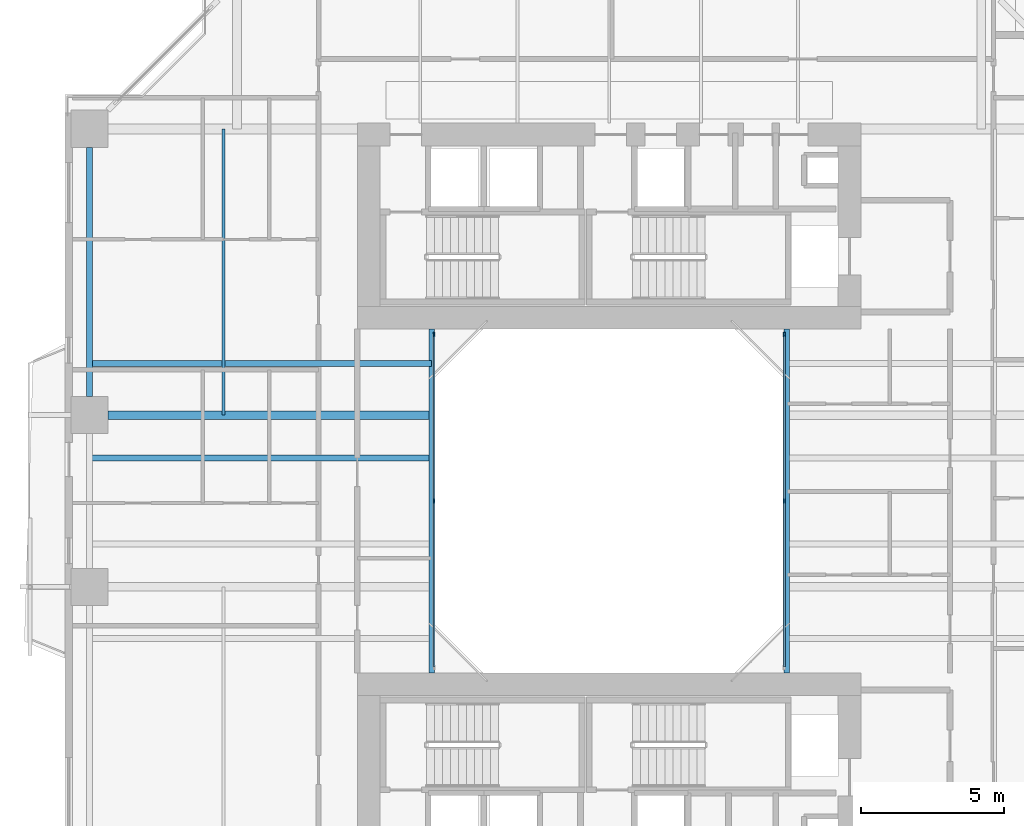
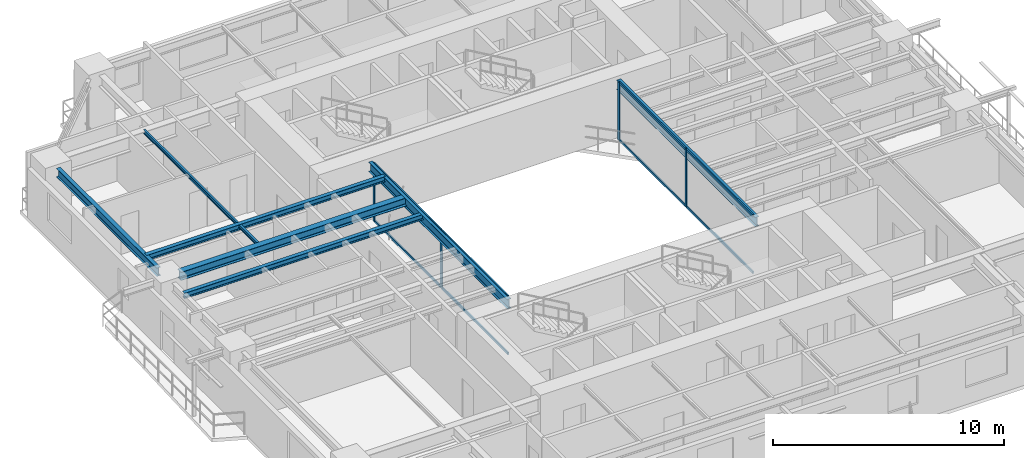
# One storey, part 4 of 23: 12 members, 7 beams, 2 elements without a shape of their own.
"""IFC4 building model written with IfcOpenShell, lengths in metres."""

from ifc_helpers import new_model, si_unit, direction, frame, origin, origin_2d, place, context, subcontext, project, spatial, rectangle, i_section, extrude, source, transform, mapped, material, layer, layer_set, material_profile, profile_set, type_object, element, aggregate, save


model = new_model("IFC4")

# Units and contexts
model_context = context("Model", 3, precision=1e-05, world=origin(), true_north=direction((0.0, 1.0)))
body_context = subcontext(model_context, "Body", "Model", "MODEL_VIEW")
ifc_project = project(units=[si_unit("LENGTHUNIT", "METRE"), si_unit("AREAUNIT", "SQUARE_METRE"), si_unit("VOLUMEUNIT", "CUBIC_METRE"), si_unit("PLANEANGLEUNIT", "RADIAN"), si_unit("MASSUNIT", "GRAM", prefix="KILO"), si_unit("THERMODYNAMICTEMPERATUREUNIT", "KELVIN"), si_unit("POWERUNIT", "WATT")], contexts=[model_context])

# Site, building, storey
site_placement = place(None, origin())
site = spatial("IfcSite", under=ifc_project, at=site_placement, CompositionType="ELEMENT")
building_placement = place(site_placement, origin())
building = spatial("IfcBuilding", under=site, at=building_placement, Name="Qiaomeng Ring Towers", CompositionType="ELEMENT")
storey_placement = place(building_placement, frame((0.0, 0.0, 82.75)))
storey = spatial("IfcBuildingStorey", under=building, at=storey_placement, Name="L23", CompositionType="ELEMENT", Elevation=82.75)

# Beams
ifc_material_1 = material(Name="Steel Q355B", Category="steel")
ifc_material_profile_1 = material_profile(ifc_material_1, i_section(OverallWidth=0.199951171875, OverallDepth=0.5, WebThickness=0.010009765625, FlangeThickness=0.01611328125, FilletRadius=0.02001953125, at=origin_2d()), Name="HN 500x200x10x16")
ifc_profile_set_1 = profile_set([ifc_material_profile_1], Name="Steel Q355B")
beam_type_1 = type_object("IfcBeamType", Name="STR-BM-HN500", PredefinedType="BEAM", material=ifc_profile_set_1)
shared_shape_1 = source(origin(), body_context, "Body", "SweptSolid", [
    extrude(i_section(OverallWidth=0.199951171875, OverallDepth=0.5, WebThickness=0.010009765625, FlangeThickness=0.01611328125, FilletRadius=0.02001953125, at=origin_2d()), origin(), (0.0, 0.0, 1.0), 12.0),
])
for number, where, z_axis, x_axis, name in (
    (1, (12.800048828125, 17.0, 2.820068359375), (0.0, 1.0, 0.0), (-1.0, 0.0, 0.0), "L23 beam STR-BM-L23-WELL-W"),
    (2, (25.199951171875, 17.0, 2.820068359375), (0.0, 1.0, 0.0), (-1.0, 0.0, 0.0), "L23 beam STR-BM-L23-WELL-E"),
):
    element("IfcBeam", number, at=place(storey_placement, frame(where, z_axis=z_axis, x_axis=x_axis)), inside=storey, type_object=beam_type_1, Name=name, PredefinedType="BEAM", context=body_context, shape_type="MappedRepresentation", body=[
        mapped(shared_shape_1, transform((0.0, 0.0, 0.0), x_axis=(1.0, 0.0, 0.0), y_axis=(0.0, 1.0, 0.0), z_axis=(0.0, 0.0, 1.0), scale=1.0)),
    ])
ifc_material_profile_2 = material_profile(ifc_material_1, i_section(OverallWidth=0.199951171875, OverallDepth=0.449951171875, WebThickness=0.009033203125, FlangeThickness=0.013916015625, FilletRadius=0.01806640625, at=origin_2d()), Name="HN 450x200x9x14")
ifc_profile_set_2 = profile_set([ifc_material_profile_2], Name="Steel Q355B")
beam_type_2 = type_object("IfcBeamType", Name="STR-BM-HN450", PredefinedType="SPANDREL", material=ifc_profile_set_2)
shared_shape_2 = source(origin(), body_context, "Body", "SweptSolid", [
    extrude(i_section(OverallWidth=0.199951171875, OverallDepth=0.449951171875, WebThickness=0.009033203125, FlangeThickness=0.013916015625, FilletRadius=0.01806640625, at=origin_2d()), origin(), (0.0, 0.0, 1.0), 8.7021484375),
])
beam_1_placement = place(storey_placement, frame((0.85009765625, 35.35107421875, 2.844970703125), z_axis=(0.0, -1.0, 0.0), x_axis=(1.0, 0.0, 0.0)))
element("IfcBeam", 3, at=beam_1_placement, inside=storey, type_object=beam_type_2, Name="L23 beam STR-SP-L23-T1-W4-W3", PredefinedType="SPANDREL", context=body_context, shape_type="MappedRepresentation", body=[
    mapped(shared_shape_2, transform((0.0, 0.0, 0.0), x_axis=(1.0, 0.0, 0.0), y_axis=(0.0, 1.0, 0.0), z_axis=(0.0, 0.0, 1.0), scale=1.0)),
])
ifc_material_profile_3 = material_profile(ifc_material_1, i_section(OverallWidth=0.300048828125, OverallDepth=0.43994140625, WebThickness=0.010986328125, FlangeThickness=0.01806640625, FilletRadius=0.02392578125, at=origin_2d()), Name="HM 440x300x11x18")
ifc_profile_set_3 = profile_set([ifc_material_profile_3], Name="Steel Q355B")
beam_type_3 = type_object("IfcBeamType", Name="STR-BM-HM440", PredefinedType="BEAM", material=ifc_profile_set_3)
shared_shape_3 = source(origin(), body_context, "Body", "SweptSolid", [
    extrude(i_section(OverallWidth=0.300048828125, OverallDepth=0.43994140625, WebThickness=0.010986328125, FlangeThickness=0.01806640625, FilletRadius=0.02392578125, at=origin_2d()), origin(), (0.0, 0.0, 1.0), 11.301025390625),
])
beam_2_placement = place(storey_placement, frame((1.4990234375, 26.0, 2.85009765625), z_axis=(1.0, 0.0, 0.0), x_axis=(0.0, 1.0, 0.0)))
element("IfcBeam", 4, at=beam_2_placement, inside=storey, type_object=beam_type_3, Name="L23 beam STR-BM-L23-T1-RAD-W3", PredefinedType="BEAM", context=body_context, shape_type="MappedRepresentation", body=[
    mapped(shared_shape_3, transform((0.0, 0.0, 0.0), x_axis=(1.0, 0.0, 0.0), y_axis=(0.0, 1.0, 0.0), z_axis=(0.0, 0.0, 1.0), scale=1.0)),
])
ifc_material_profile_4 = material_profile(ifc_material_1, i_section(OverallWidth=0.199951171875, OverallDepth=0.2939453125, WebThickness=0.008056640625, FlangeThickness=0.011962890625, FilletRadius=0.01806640625, at=origin_2d()), Name="HM 294x200x8x12")
ifc_profile_set_4 = profile_set([ifc_material_profile_4], Name="Steel Q355B")
beam_type_4 = type_object("IfcBeamType", Name="STR-BM-HM294", PredefinedType="JOIST", material=ifc_profile_set_4)
shared_shape_4 = source(origin(), body_context, "Body", "SweptSolid", [
    extrude(i_section(OverallWidth=0.199951171875, OverallDepth=0.2939453125, WebThickness=0.008056640625, FlangeThickness=0.011962890625, FilletRadius=0.01806640625, at=origin_2d()), origin(), (0.0, 0.0, 1.0), 11.949951171875),
])
for number, where, z_axis, x_axis, name in (
    (5, (0.85009765625, 24.5, 2.923095703125), (1.0, 0.0, 0.0), (0.0, 1.0, 0.0), "L23 beam STR-JST-L23-T1W-3"),
    (6, (0.85009765625, 27.800048828125, 2.923095703125), (1.0, 0.0, 0.0), (0.0, 1.0, 0.0), "L23 beam STR-JST-L23-T1W-4"),
):
    element("IfcBeam", number, at=place(storey_placement, frame(where, z_axis=z_axis, x_axis=x_axis)), inside=storey, type_object=beam_type_4, Name=name, PredefinedType="JOIST", context=body_context, shape_type="MappedRepresentation", body=[
        mapped(shared_shape_4, transform((0.0, 0.0, 0.0), x_axis=(1.0, 0.0, 0.0), y_axis=(0.0, 1.0, 0.0), z_axis=(0.0, 0.0, 1.0), scale=1.0)),
    ])
ifc_material_profile_5 = material_profile(ifc_material_1, i_section(OverallWidth=0.10009765625, OverallDepth=0.199951171875, WebThickness=0.005615234375, FlangeThickness=0.008056640625, FilletRadius=0.010986328125, at=origin_2d()), Name="HN 200x100x5.5x8")
ifc_profile_set_5 = profile_set([ifc_material_profile_5], Name="Steel Q355B")
beam_type_5 = type_object("IfcBeamType", Name="STR-BM-HN200", PredefinedType="JOIST", material=ifc_profile_set_5)
shared_shape_5 = source(origin(), body_context, "Body", "SweptSolid", [
    extrude(i_section(OverallWidth=0.10009765625, OverallDepth=0.199951171875, WebThickness=0.005615234375, FlangeThickness=0.008056640625, FilletRadius=0.010986328125, at=origin_2d()), origin(), (0.0, 0.0, 1.0), 10.0),
])
beam_3_placement = place(storey_placement, frame((5.52490234375, 26.0, 2.969970703125), z_axis=(0.0, 1.0, 0.0), x_axis=(-1.0, 0.0, 0.0)))
element("IfcBeam", 7, at=beam_3_placement, inside=storey, type_object=beam_type_5, Name="L23 beam STR-JST-L23-T1C-WN", PredefinedType="JOIST", context=body_context, shape_type="MappedRepresentation", body=[
    mapped(shared_shape_5, transform((0.0, 0.0, 0.0), x_axis=(1.0, 0.0, 0.0), y_axis=(0.0, 1.0, 0.0), z_axis=(0.0, 0.0, 1.0), scale=1.0)),
])

# Curtain wall, members
ifc_material_2 = material(Name="Fluorocarbon dark-grey aluminium", Category="aluminium")
ifc_layer = layer(ifc_material_2, 0.139892578125, Name="Fluorocarbon dark-grey aluminium")
ifc_layer_set = layer_set([ifc_layer], Name="Fluorocarbon dark-grey aluminium")
curtain_wall_type = type_object("IfcCurtainWallType", Name="ARC-CW-4", PredefinedType="NOTDEFINED", material=ifc_layer_set)
curtain_wall_1_placement = place(storey_placement, origin())
curtain_wall_1 = element("IfcCurtainWall", 8, at=curtain_wall_1_placement, inside=storey, type_object=curtain_wall_type, Name="L23 Curtain Wall CW4", PredefinedType="NOTDEFINED")
ifc_material_profile_6 = material_profile(ifc_material_2, rectangle(XDim=0.06494140625, YDim=0.159912109375, at=origin_2d()), Name="ALU MULL 65x160")
ifc_profile_set_6 = profile_set([ifc_material_profile_6], Name="Fluorocarbon dark-grey aluminium")
member_type_1 = type_object("IfcMemberType", Name="ARC-CWM-140", PredefinedType="MULLION", material=ifc_profile_set_6)
shared_shape_6 = source(origin(), body_context, "Body", "SweptSolid", [
    extrude(rectangle(XDim=0.06494140625, YDim=0.159912109375, at=origin_2d()), origin(), (0.0, 0.0, 1.0), 3.070068359375),
])
member_1_placement = place(storey_placement, frame((12.8798828125, 23.0, 0.0), z_axis=(0.0, 0.0, 1.0), x_axis=(-1.0, 0.0, 0.0)))
member_1 = element("IfcMember", 9, at=member_1_placement, type_object=member_type_1, Name="CW4 mullion 2", PredefinedType="MULLION", context=body_context, shape_type="MappedRepresentation", body=[
    mapped(shared_shape_6, transform((0.0, 0.0, 0.0), x_axis=(1.0, 0.0, 0.0), y_axis=(0.0, 1.0, 0.0), z_axis=(0.0, 0.0, 1.0), scale=1.0)),
])
member_2_placement = place(storey_placement, frame((12.8798828125, 28.8173828125, 0.0), z_axis=(0.0, 0.0, 1.0), x_axis=(-1.0, 0.0, 0.0)))
member_2 = element("IfcMember", 10, at=member_2_placement, type_object=member_type_1, Name="CW4 mullion 3", PredefinedType="MULLION", context=body_context, shape_type="MappedRepresentation", body=[
    mapped(shared_shape_6, transform((0.0, 0.0, 0.0), x_axis=(1.0, 0.0, 0.0), y_axis=(0.0, 1.0, 0.0), z_axis=(0.0, 0.0, 1.0), scale=1.0)),
])

curtain_wall_2_placement = place(storey_placement, origin())
curtain_wall_2 = element("IfcCurtainWall", 11, at=curtain_wall_2_placement, inside=storey, type_object=curtain_wall_type, Name="L23 Curtain Wall CW4", PredefinedType="NOTDEFINED")
member_3_placement = place(storey_placement, frame((25.1201171875, 23.0, 0.0), z_axis=(0.0, 0.0, 1.0), x_axis=(-1.0, 0.0, 0.0)))
member_3 = element("IfcMember", 12, at=member_3_placement, type_object=member_type_1, Name="CW4 mullion 2", PredefinedType="MULLION", context=body_context, shape_type="MappedRepresentation", body=[
    mapped(shared_shape_6, transform((0.0, 0.0, 0.0), x_axis=(1.0, 0.0, 0.0), y_axis=(0.0, 1.0, 0.0), z_axis=(0.0, 0.0, 1.0), scale=1.0)),
])
member_4_placement = place(storey_placement, frame((25.1201171875, 28.8173828125, 0.0), z_axis=(0.0, 0.0, 1.0), x_axis=(-1.0, 0.0, 0.0)))
member_4 = element("IfcMember", 13, at=member_4_placement, type_object=member_type_1, Name="CW4 mullion 3", PredefinedType="MULLION", context=body_context, shape_type="MappedRepresentation", body=[
    mapped(shared_shape_6, transform((0.0, 0.0, 0.0), x_axis=(1.0, 0.0, 0.0), y_axis=(0.0, 1.0, 0.0), z_axis=(0.0, 0.0, 1.0), scale=1.0)),
])

# Member
ifc_material_profile_7 = material_profile(ifc_material_2, rectangle(XDim=0.06494140625, YDim=0.1298828125, at=origin_2d()), Name="ALU TRAN 65x130")
ifc_profile_set_7 = profile_set([ifc_material_profile_7], Name="Fluorocarbon dark-grey aluminium")
member_type_2 = type_object("IfcMemberType", Name="ARC-CWT-120", PredefinedType="USERDEFINED", material=ifc_profile_set_7)
shared_shape_7 = source(origin(), body_context, "Body", "SweptSolid", [
    extrude(rectangle(XDim=0.06494140625, YDim=0.1298828125, at=origin_2d()), origin(), (0.0, 0.0, 1.0), 5.75244140625),
])
member_5_placement = place(storey_placement, frame((12.8798828125, 17.215087890625, 0.032470703125), z_axis=(0.0, 1.0, 0.0), x_axis=(-1.0, 0.0, 0.0)))
member_5 = element("IfcMember", 14, at=member_5_placement, type_object=member_type_2, Name="CW4 transom 1.1", ObjectType="TRANSOM", PredefinedType="USERDEFINED", context=body_context, shape_type="MappedRepresentation", body=[
    mapped(shared_shape_7, transform((0.0, 0.0, 0.0), x_axis=(1.0, 0.0, 0.0), y_axis=(0.0, 1.0, 0.0), z_axis=(0.0, 0.0, 1.0), scale=1.0)),
])

member_6_placement = place(storey_placement, frame((12.8798828125, 17.215087890625, 3.03759765625), z_axis=(0.0, 1.0, 0.0), x_axis=(-1.0, 0.0, 0.0)))
member_6 = element("IfcMember", 15, at=member_6_placement, type_object=member_type_2, Name="CW4 transom 1.2", ObjectType="TRANSOM", PredefinedType="USERDEFINED", context=body_context, shape_type="MappedRepresentation", body=[
    mapped(shared_shape_7, transform((0.0, 0.0, 0.0), x_axis=(1.0, 0.0, 0.0), y_axis=(0.0, 1.0, 0.0), z_axis=(0.0, 0.0, 1.0), scale=1.0)),
])

member_7_placement = place(storey_placement, frame((12.8798828125, 23.032470703125, 0.032470703125), z_axis=(0.0, 1.0, 0.0), x_axis=(-1.0, 0.0, 0.0)))
member_7 = element("IfcMember", 16, at=member_7_placement, type_object=member_type_2, Name="CW4 transom 2.1", ObjectType="TRANSOM", PredefinedType="USERDEFINED", context=body_context, shape_type="MappedRepresentation", body=[
    mapped(shared_shape_7, transform((0.0, 0.0, 0.0), x_axis=(1.0, 0.0, 0.0), y_axis=(0.0, 1.0, 0.0), z_axis=(0.0, 0.0, 1.0), scale=1.0)),
])

member_8_placement = place(storey_placement, frame((12.8798828125, 23.032470703125, 3.03759765625), z_axis=(0.0, 1.0, 0.0), x_axis=(-1.0, 0.0, 0.0)))
member_8 = element("IfcMember", 17, at=member_8_placement, type_object=member_type_2, Name="CW4 transom 2.2", ObjectType="TRANSOM", PredefinedType="USERDEFINED", context=body_context, shape_type="MappedRepresentation", body=[
    mapped(shared_shape_7, transform((0.0, 0.0, 0.0), x_axis=(1.0, 0.0, 0.0), y_axis=(0.0, 1.0, 0.0), z_axis=(0.0, 0.0, 1.0), scale=1.0)),
])

aggregate(curtain_wall_1, [member_1, member_2, member_5, member_6, member_7, member_8])

member_9_placement = place(storey_placement, frame((25.1201171875, 17.215087890625, 0.032470703125), z_axis=(0.0, 1.0, 0.0), x_axis=(-1.0, 0.0, 0.0)))
member_9 = element("IfcMember", 18, at=member_9_placement, type_object=member_type_2, Name="CW4 transom 1.1", ObjectType="TRANSOM", PredefinedType="USERDEFINED", context=body_context, shape_type="MappedRepresentation", body=[
    mapped(shared_shape_7, transform((0.0, 0.0, 0.0), x_axis=(1.0, 0.0, 0.0), y_axis=(0.0, 1.0, 0.0), z_axis=(0.0, 0.0, 1.0), scale=1.0)),
])

member_10_placement = place(storey_placement, frame((25.1201171875, 17.215087890625, 3.03759765625), z_axis=(0.0, 1.0, 0.0), x_axis=(-1.0, 0.0, 0.0)))
member_10 = element("IfcMember", 19, at=member_10_placement, type_object=member_type_2, Name="CW4 transom 1.2", ObjectType="TRANSOM", PredefinedType="USERDEFINED", context=body_context, shape_type="MappedRepresentation", body=[
    mapped(shared_shape_7, transform((0.0, 0.0, 0.0), x_axis=(1.0, 0.0, 0.0), y_axis=(0.0, 1.0, 0.0), z_axis=(0.0, 0.0, 1.0), scale=1.0)),
])

member_11_placement = place(storey_placement, frame((25.1201171875, 23.032470703125, 0.032470703125), z_axis=(0.0, 1.0, 0.0), x_axis=(-1.0, 0.0, 0.0)))
member_11 = element("IfcMember", 20, at=member_11_placement, type_object=member_type_2, Name="CW4 transom 2.1", ObjectType="TRANSOM", PredefinedType="USERDEFINED", context=body_context, shape_type="MappedRepresentation", body=[
    mapped(shared_shape_7, transform((0.0, 0.0, 0.0), x_axis=(1.0, 0.0, 0.0), y_axis=(0.0, 1.0, 0.0), z_axis=(0.0, 0.0, 1.0), scale=1.0)),
])

member_12_placement = place(storey_placement, frame((25.1201171875, 23.032470703125, 3.03759765625), z_axis=(0.0, 1.0, 0.0), x_axis=(-1.0, 0.0, 0.0)))
member_12 = element("IfcMember", 21, at=member_12_placement, type_object=member_type_2, Name="CW4 transom 2.2", ObjectType="TRANSOM", PredefinedType="USERDEFINED", context=body_context, shape_type="MappedRepresentation", body=[
    mapped(shared_shape_7, transform((0.0, 0.0, 0.0), x_axis=(1.0, 0.0, 0.0), y_axis=(0.0, 1.0, 0.0), z_axis=(0.0, 0.0, 1.0), scale=1.0)),
])

aggregate(curtain_wall_2, [member_3, member_4, member_9, member_10, member_11, member_12])

save(model, "model.ifc")
